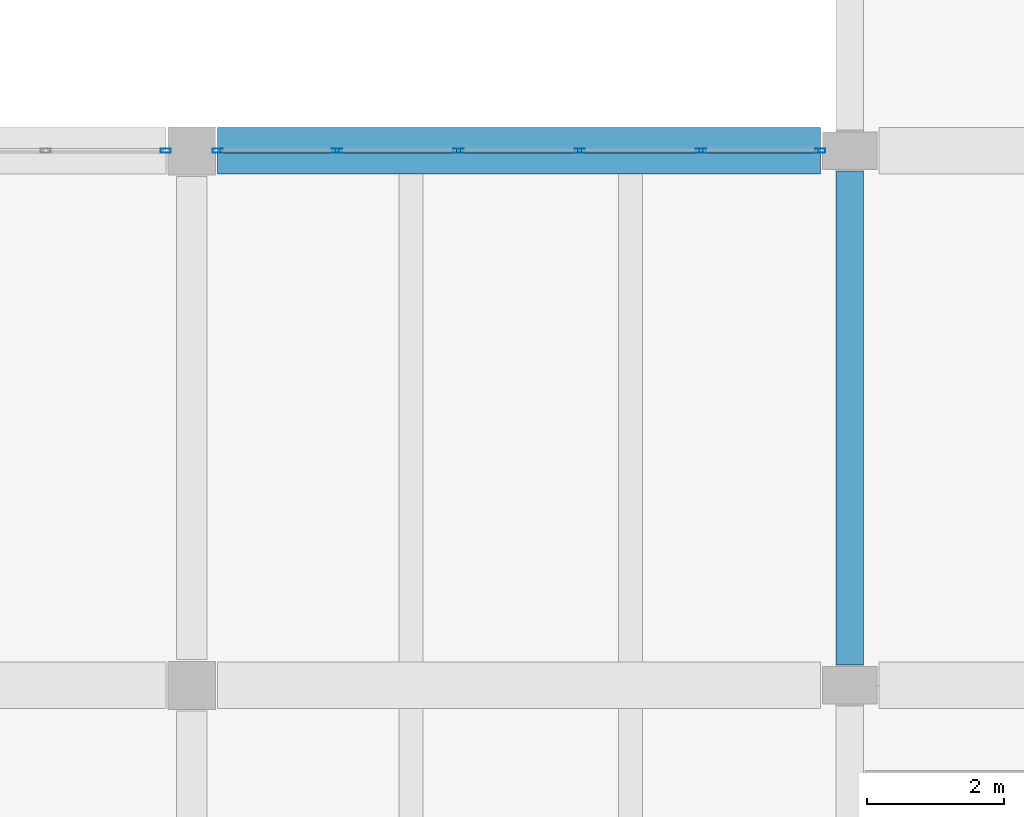
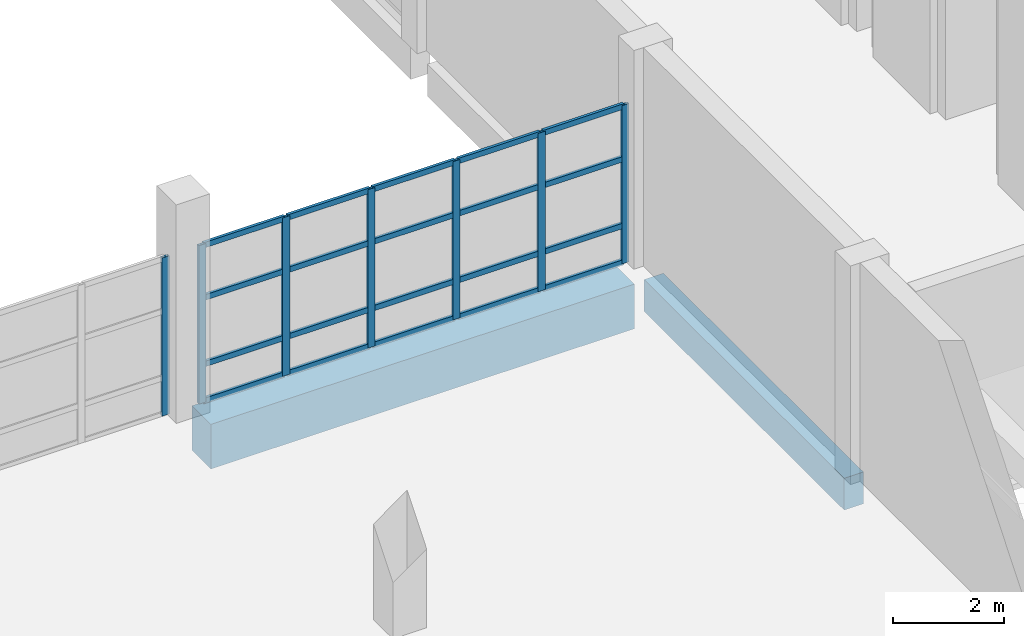
# One storey, part 52 of 91: 27 members, 2 beams, 2 elements without a shape of their own.
"""IFC4 building model written with IfcOpenShell, lengths in metres."""

from ifc_helpers import new_model, si_unit, direction, frame, origin, origin_2d, place, context, subcontext, project, spatial, rectangle, hollow_rectangle, extrude, material, material_profile, profile_set, type_object, element, aggregate, save


model = new_model("IFC4")

# Units and contexts
model_context = context("Model", 3, precision=1e-05, world=origin(), true_north=direction((0.0, 1.0)))
body_context = subcontext(model_context, "Body", "Model", "MODEL_VIEW")
ifc_project = project(units=[si_unit("LENGTHUNIT", "METRE"), si_unit("AREAUNIT", "SQUARE_METRE"), si_unit("VOLUMEUNIT", "CUBIC_METRE"), si_unit("PLANEANGLEUNIT", "RADIAN"), si_unit("MASSUNIT", "GRAM", prefix="KILO")], contexts=[model_context])

# Site, building, storey
site_placement = place(None, origin())
site = spatial("IfcSite", under=ifc_project, at=site_placement, CompositionType="ELEMENT")
building_placement = place(site_placement, origin())
building = spatial("IfcBuilding", under=site, at=building_placement, Name="Pellamere Symphony Hall", CompositionType="ELEMENT")
storey_placement = place(building_placement, frame((0.0, 0.0, 5.39990234375)))
storey = spatial("IfcBuildingStorey", under=building, at=storey_placement, Name="L01", CompositionType="ELEMENT", Elevation=5.39990234375)

# Curtain wall, member
ifc_material_1 = material(Name="Thermally Broken Anodised Aluminium 6063-T6 Curtain Wall", Category="aluminium")
curtain_wall_type = type_object("IfcCurtainWallType", Name="Curtain Wall CW-03 (Sculpture Court Glazed Link Curtain Wall)", PredefinedType="NOTDEFINED", material=ifc_material_1)
curtain_wall_1_placement = place(storey_placement, origin())
curtain_wall_1 = element("IfcCurtainWall", 1, at=curtain_wall_1_placement, inside=storey, type_object=curtain_wall_type, Name="Sculpture Court Link Curtain Wall (L01 Bay 1)", PredefinedType="NOTDEFINED")
ifc_material_2 = material(Name="Anodised Architectural Aluminium 6063-T6", Category="aluminium")
ifc_material_profile_1 = material_profile(ifc_material_2, hollow_rectangle(XDim=0.06005859375, YDim=0.14990234375, WallThickness=0.00390625, at=origin_2d()), Name="ALU-M60X150X4")
ifc_profile_set_1 = profile_set([ifc_material_profile_1], Name="Anodised Architectural Aluminium 6063-T6")
member_type_1 = type_object("IfcMemberType", Name="Curtain Wall Mullion ML-03 ALU-M60X150X4", PredefinedType="MULLION", material=ifc_profile_set_1)
member_1_placement = place(storey_placement, frame((128.02001953125, 54.0, 0.0), z_axis=(0.0, 0.0, 1.0), x_axis=(0.0, 1.0, 0.0)))
member_1 = element("IfcMember", 2, at=member_1_placement, type_object=member_type_1, Name="CW3-103 crystal mullion 6", PredefinedType="MULLION", context=body_context, shape_type="SweptSolid", body=[
    extrude(hollow_rectangle(XDim=0.06005859375, YDim=0.14990234375, WallThickness=0.00390625, at=origin_2d()), origin(), (0.0, 0.0, 1.0), 3.47998046875),
])
aggregate(curtain_wall_1, [member_1])

# Curtain wall, members
curtain_wall_2_placement = place(storey_placement, origin())
curtain_wall_2 = element("IfcCurtainWall", 3, at=curtain_wall_2_placement, inside=storey, type_object=curtain_wall_type, Name="Sculpture Court Link Curtain Wall (L01 Bay 2)", PredefinedType="NOTDEFINED")
member_2_placement = place(storey_placement, frame((128.780029296875, 54.0, 0.0), z_axis=(0.0, 0.0, 1.0), x_axis=(0.0, 1.0, 0.0)))
member_2 = element("IfcMember", 4, at=member_2_placement, type_object=member_type_1, Name="CW3-104 crystal mullion 1", PredefinedType="MULLION", context=body_context, shape_type="SweptSolid", body=[
    extrude(hollow_rectangle(XDim=0.06005859375, YDim=0.14990234375, WallThickness=0.00390625, at=origin_2d()), origin(), (0.0, 0.0, 1.0), 3.47998046875),
])
member_3_placement = place(storey_placement, frame((130.52001953125, 54.0, 0.0), z_axis=(0.0, 0.0, 1.0), x_axis=(0.0, 1.0, 0.0)))
member_3 = element("IfcMember", 5, at=member_3_placement, type_object=member_type_1, Name="CW3-104 crystal mullion 2", PredefinedType="MULLION", context=body_context, shape_type="SweptSolid", body=[
    extrude(hollow_rectangle(XDim=0.06005859375, YDim=0.14990234375, WallThickness=0.00390625, at=origin_2d()), origin(), (0.0, 0.0, 1.0), 3.47998046875),
])
member_4_placement = place(storey_placement, frame((132.2900390625, 54.0, 0.0), z_axis=(0.0, 0.0, 1.0), x_axis=(0.0, 1.0, 0.0)))
member_4 = element("IfcMember", 6, at=member_4_placement, type_object=member_type_1, Name="CW3-104 crystal mullion 3", PredefinedType="MULLION", context=body_context, shape_type="SweptSolid", body=[
    extrude(hollow_rectangle(XDim=0.06005859375, YDim=0.14990234375, WallThickness=0.00390625, at=origin_2d()), origin(), (0.0, 0.0, 1.0), 3.47998046875),
])
member_5_placement = place(storey_placement, frame((134.06005859375, 54.0, 0.0), z_axis=(0.0, 0.0, 1.0), x_axis=(0.0, 1.0, 0.0)))
member_5 = element("IfcMember", 7, at=member_5_placement, type_object=member_type_1, Name="CW3-104 crystal mullion 4", PredefinedType="MULLION", context=body_context, shape_type="SweptSolid", body=[
    extrude(hollow_rectangle(XDim=0.06005859375, YDim=0.14990234375, WallThickness=0.00390625, at=origin_2d()), origin(), (0.0, 0.0, 1.0), 3.47998046875),
])
member_6_placement = place(storey_placement, frame((135.830078125, 54.0, 0.0), z_axis=(0.0, 0.0, 1.0), x_axis=(0.0, 1.0, 0.0)))
member_6 = element("IfcMember", 8, at=member_6_placement, type_object=member_type_1, Name="CW3-104 crystal mullion 5", PredefinedType="MULLION", context=body_context, shape_type="SweptSolid", body=[
    extrude(hollow_rectangle(XDim=0.06005859375, YDim=0.14990234375, WallThickness=0.00390625, at=origin_2d()), origin(), (0.0, 0.0, 1.0), 3.47998046875),
])
member_7_placement = place(storey_placement, frame((137.570068359375, 54.0, 0.0), z_axis=(0.0, 0.0, 1.0), x_axis=(0.0, 1.0, 0.0)))
member_7 = element("IfcMember", 9, at=member_7_placement, type_object=member_type_1, Name="CW3-104 crystal mullion 6", PredefinedType="MULLION", context=body_context, shape_type="SweptSolid", body=[
    extrude(hollow_rectangle(XDim=0.06005859375, YDim=0.14990234375, WallThickness=0.00390625, at=origin_2d()), origin(), (0.0, 0.0, 1.0), 3.47998046875),
])
ifc_material_profile_2 = material_profile(ifc_material_2, hollow_rectangle(XDim=0.06005859375, YDim=0.1201171875, WallThickness=0.00390625, at=origin_2d()), Name="ALU-T60X120X4")
ifc_profile_set_2 = profile_set([ifc_material_profile_2], Name="Anodised Architectural Aluminium 6063-T6")
member_type_2 = type_object("IfcMemberType", Name="Curtain Wall Transom TR-03 ALU-T60X120X4", PredefinedType="USERDEFINED", material=ifc_profile_set_2)
member_8_placement = place(storey_placement, frame((128.81005859375, 54.0, 0.030029296875), z_axis=(1.0, 0.0, 0.0), x_axis=(0.0, 1.0, 0.0)))
member_8 = element("IfcMember", 10, at=member_8_placement, type_object=member_type_2, Name="CW3-104 crystal transom 1.1", ObjectType="TRANSOM", PredefinedType="USERDEFINED", context=body_context, shape_type="SweptSolid", body=[
    extrude(hollow_rectangle(XDim=0.06005859375, YDim=0.1201171875, WallThickness=0.00390625, at=origin_2d()), origin(), (0.0, 0.0, 1.0), 1.679931640625),
])
member_9_placement = place(storey_placement, frame((128.81005859375, 54.0, 0.835205078125), z_axis=(1.0, 0.0, 0.0), x_axis=(0.0, 1.0, 0.0)))
member_9 = element("IfcMember", 11, at=member_9_placement, type_object=member_type_2, Name="CW3-104 crystal transom 1.2", ObjectType="TRANSOM", PredefinedType="USERDEFINED", context=body_context, shape_type="SweptSolid", body=[
    extrude(hollow_rectangle(XDim=0.06005859375, YDim=0.1201171875, WallThickness=0.00390625, at=origin_2d()), origin(), (0.0, 0.0, 1.0), 1.679931640625),
])
member_10_placement = place(storey_placement, frame((128.81005859375, 54.0, 2.296875), z_axis=(1.0, 0.0, 0.0), x_axis=(0.0, 1.0, 0.0)))
member_10 = element("IfcMember", 12, at=member_10_placement, type_object=member_type_2, Name="CW3-104 crystal transom 1.3", ObjectType="TRANSOM", PredefinedType="USERDEFINED", context=body_context, shape_type="SweptSolid", body=[
    extrude(hollow_rectangle(XDim=0.06005859375, YDim=0.1201171875, WallThickness=0.00390625, at=origin_2d()), origin(), (0.0, 0.0, 1.0), 1.679931640625),
])
member_11_placement = place(storey_placement, frame((128.81005859375, 54.0, 3.4501953125), z_axis=(1.0, 0.0, 0.0), x_axis=(0.0, 1.0, 0.0)))
member_11 = element("IfcMember", 13, at=member_11_placement, type_object=member_type_2, Name="CW3-104 crystal transom 1.4", ObjectType="TRANSOM", PredefinedType="USERDEFINED", context=body_context, shape_type="SweptSolid", body=[
    extrude(hollow_rectangle(XDim=0.06005859375, YDim=0.1201171875, WallThickness=0.00390625, at=origin_2d()), origin(), (0.0, 0.0, 1.0), 1.679931640625),
])
member_12_placement = place(storey_placement, frame((130.550048828125, 54.0, 0.030029296875), z_axis=(1.0, 0.0, 0.0), x_axis=(0.0, 1.0, 0.0)))
member_12 = element("IfcMember", 14, at=member_12_placement, type_object=member_type_2, Name="CW3-104 crystal transom 2.1", ObjectType="TRANSOM", PredefinedType="USERDEFINED", context=body_context, shape_type="SweptSolid", body=[
    extrude(hollow_rectangle(XDim=0.06005859375, YDim=0.1201171875, WallThickness=0.00390625, at=origin_2d()), origin(), (0.0, 0.0, 1.0), 1.7099609375),
])
member_13_placement = place(storey_placement, frame((130.550048828125, 54.0, 0.835205078125), z_axis=(1.0, 0.0, 0.0), x_axis=(0.0, 1.0, 0.0)))
member_13 = element("IfcMember", 15, at=member_13_placement, type_object=member_type_2, Name="CW3-104 crystal transom 2.2", ObjectType="TRANSOM", PredefinedType="USERDEFINED", context=body_context, shape_type="SweptSolid", body=[
    extrude(hollow_rectangle(XDim=0.06005859375, YDim=0.1201171875, WallThickness=0.00390625, at=origin_2d()), origin(), (0.0, 0.0, 1.0), 1.7099609375),
])
member_14_placement = place(storey_placement, frame((130.550048828125, 54.0, 2.296875), z_axis=(1.0, 0.0, 0.0), x_axis=(0.0, 1.0, 0.0)))
member_14 = element("IfcMember", 16, at=member_14_placement, type_object=member_type_2, Name="CW3-104 crystal transom 2.3", ObjectType="TRANSOM", PredefinedType="USERDEFINED", context=body_context, shape_type="SweptSolid", body=[
    extrude(hollow_rectangle(XDim=0.06005859375, YDim=0.1201171875, WallThickness=0.00390625, at=origin_2d()), origin(), (0.0, 0.0, 1.0), 1.7099609375),
])
member_15_placement = place(storey_placement, frame((130.550048828125, 54.0, 3.4501953125), z_axis=(1.0, 0.0, 0.0), x_axis=(0.0, 1.0, 0.0)))
member_15 = element("IfcMember", 17, at=member_15_placement, type_object=member_type_2, Name="CW3-104 crystal transom 2.4", ObjectType="TRANSOM", PredefinedType="USERDEFINED", context=body_context, shape_type="SweptSolid", body=[
    extrude(hollow_rectangle(XDim=0.06005859375, YDim=0.1201171875, WallThickness=0.00390625, at=origin_2d()), origin(), (0.0, 0.0, 1.0), 1.7099609375),
])
member_16_placement = place(storey_placement, frame((132.320068359375, 54.0, 0.030029296875), z_axis=(1.0, 0.0, 0.0), x_axis=(0.0, 1.0, 0.0)))
member_16 = element("IfcMember", 18, at=member_16_placement, type_object=member_type_2, Name="CW3-104 crystal transom 3.1", ObjectType="TRANSOM", PredefinedType="USERDEFINED", context=body_context, shape_type="SweptSolid", body=[
    extrude(hollow_rectangle(XDim=0.06005859375, YDim=0.1201171875, WallThickness=0.00390625, at=origin_2d()), origin(), (0.0, 0.0, 1.0), 1.7099609375),
])
member_17_placement = place(storey_placement, frame((132.320068359375, 54.0, 0.835205078125), z_axis=(1.0, 0.0, 0.0), x_axis=(0.0, 1.0, 0.0)))
member_17 = element("IfcMember", 19, at=member_17_placement, type_object=member_type_2, Name="CW3-104 crystal transom 3.2", ObjectType="TRANSOM", PredefinedType="USERDEFINED", context=body_context, shape_type="SweptSolid", body=[
    extrude(hollow_rectangle(XDim=0.06005859375, YDim=0.1201171875, WallThickness=0.00390625, at=origin_2d()), origin(), (0.0, 0.0, 1.0), 1.7099609375),
])
member_18_placement = place(storey_placement, frame((132.320068359375, 54.0, 2.296875), z_axis=(1.0, 0.0, 0.0), x_axis=(0.0, 1.0, 0.0)))
member_18 = element("IfcMember", 20, at=member_18_placement, type_object=member_type_2, Name="CW3-104 crystal transom 3.3", ObjectType="TRANSOM", PredefinedType="USERDEFINED", context=body_context, shape_type="SweptSolid", body=[
    extrude(hollow_rectangle(XDim=0.06005859375, YDim=0.1201171875, WallThickness=0.00390625, at=origin_2d()), origin(), (0.0, 0.0, 1.0), 1.7099609375),
])
member_19_placement = place(storey_placement, frame((132.320068359375, 54.0, 3.4501953125), z_axis=(1.0, 0.0, 0.0), x_axis=(0.0, 1.0, 0.0)))
member_19 = element("IfcMember", 21, at=member_19_placement, type_object=member_type_2, Name="CW3-104 crystal transom 3.4", ObjectType="TRANSOM", PredefinedType="USERDEFINED", context=body_context, shape_type="SweptSolid", body=[
    extrude(hollow_rectangle(XDim=0.06005859375, YDim=0.1201171875, WallThickness=0.00390625, at=origin_2d()), origin(), (0.0, 0.0, 1.0), 1.7099609375),
])
member_20_placement = place(storey_placement, frame((134.090087890625, 54.0, 0.030029296875), z_axis=(1.0, 0.0, 0.0), x_axis=(0.0, 1.0, 0.0)))
member_20 = element("IfcMember", 22, at=member_20_placement, type_object=member_type_2, Name="CW3-104 crystal transom 4.1", ObjectType="TRANSOM", PredefinedType="USERDEFINED", context=body_context, shape_type="SweptSolid", body=[
    extrude(hollow_rectangle(XDim=0.06005859375, YDim=0.1201171875, WallThickness=0.00390625, at=origin_2d()), origin(), (0.0, 0.0, 1.0), 1.7099609375),
])
member_21_placement = place(storey_placement, frame((134.090087890625, 54.0, 0.835205078125), z_axis=(1.0, 0.0, 0.0), x_axis=(0.0, 1.0, 0.0)))
member_21 = element("IfcMember", 23, at=member_21_placement, type_object=member_type_2, Name="CW3-104 crystal transom 4.2", ObjectType="TRANSOM", PredefinedType="USERDEFINED", context=body_context, shape_type="SweptSolid", body=[
    extrude(hollow_rectangle(XDim=0.06005859375, YDim=0.1201171875, WallThickness=0.00390625, at=origin_2d()), origin(), (0.0, 0.0, 1.0), 1.7099609375),
])
member_22_placement = place(storey_placement, frame((134.090087890625, 54.0, 2.296875), z_axis=(1.0, 0.0, 0.0), x_axis=(0.0, 1.0, 0.0)))
member_22 = element("IfcMember", 24, at=member_22_placement, type_object=member_type_2, Name="CW3-104 crystal transom 4.3", ObjectType="TRANSOM", PredefinedType="USERDEFINED", context=body_context, shape_type="SweptSolid", body=[
    extrude(hollow_rectangle(XDim=0.06005859375, YDim=0.1201171875, WallThickness=0.00390625, at=origin_2d()), origin(), (0.0, 0.0, 1.0), 1.7099609375),
])
member_23_placement = place(storey_placement, frame((134.090087890625, 54.0, 3.4501953125), z_axis=(1.0, 0.0, 0.0), x_axis=(0.0, 1.0, 0.0)))
member_23 = element("IfcMember", 25, at=member_23_placement, type_object=member_type_2, Name="CW3-104 crystal transom 4.4", ObjectType="TRANSOM", PredefinedType="USERDEFINED", context=body_context, shape_type="SweptSolid", body=[
    extrude(hollow_rectangle(XDim=0.06005859375, YDim=0.1201171875, WallThickness=0.00390625, at=origin_2d()), origin(), (0.0, 0.0, 1.0), 1.7099609375),
])
member_24_placement = place(storey_placement, frame((135.860107421875, 54.0, 0.030029296875), z_axis=(1.0, 0.0, 0.0), x_axis=(0.0, 1.0, 0.0)))
member_24 = element("IfcMember", 26, at=member_24_placement, type_object=member_type_2, Name="CW3-104 crystal transom 5.1", ObjectType="TRANSOM", PredefinedType="USERDEFINED", context=body_context, shape_type="SweptSolid", body=[
    extrude(hollow_rectangle(XDim=0.06005859375, YDim=0.1201171875, WallThickness=0.00390625, at=origin_2d()), origin(), (0.0, 0.0, 1.0), 1.679931640625),
])
member_25_placement = place(storey_placement, frame((135.860107421875, 54.0, 0.835205078125), z_axis=(1.0, 0.0, 0.0), x_axis=(0.0, 1.0, 0.0)))
member_25 = element("IfcMember", 27, at=member_25_placement, type_object=member_type_2, Name="CW3-104 crystal transom 5.2", ObjectType="TRANSOM", PredefinedType="USERDEFINED", context=body_context, shape_type="SweptSolid", body=[
    extrude(hollow_rectangle(XDim=0.06005859375, YDim=0.1201171875, WallThickness=0.00390625, at=origin_2d()), origin(), (0.0, 0.0, 1.0), 1.679931640625),
])
member_26_placement = place(storey_placement, frame((135.860107421875, 54.0, 2.296875), z_axis=(1.0, 0.0, 0.0), x_axis=(0.0, 1.0, 0.0)))
member_26 = element("IfcMember", 28, at=member_26_placement, type_object=member_type_2, Name="CW3-104 crystal transom 5.3", ObjectType="TRANSOM", PredefinedType="USERDEFINED", context=body_context, shape_type="SweptSolid", body=[
    extrude(hollow_rectangle(XDim=0.06005859375, YDim=0.1201171875, WallThickness=0.00390625, at=origin_2d()), origin(), (0.0, 0.0, 1.0), 1.679931640625),
])
member_27_placement = place(storey_placement, frame((135.860107421875, 54.0, 3.4501953125), z_axis=(1.0, 0.0, 0.0), x_axis=(0.0, 1.0, 0.0)))
member_27 = element("IfcMember", 29, at=member_27_placement, type_object=member_type_2, Name="CW3-104 crystal transom 5.4", ObjectType="TRANSOM", PredefinedType="USERDEFINED", context=body_context, shape_type="SweptSolid", body=[
    extrude(hollow_rectangle(XDim=0.06005859375, YDim=0.1201171875, WallThickness=0.00390625, at=origin_2d()), origin(), (0.0, 0.0, 1.0), 1.679931640625),
])
aggregate(curtain_wall_2, [member_2, member_3, member_4, member_5, member_6, member_7, member_8, member_9, member_10, member_11, member_12, member_13, member_14, member_15, member_16, member_17, member_18, member_19, member_20, member_21, member_22, member_23, member_24, member_25, member_26, member_27])

# Beams
ifc_material_3 = material(Name="Concrete 40 MPa", Category="concrete")
ifc_material_profile_3 = material_profile(ifc_material_3, rectangle(XDim=0.39990234375, YDim=0.699951171875, at=origin_2d()), Name="RC 400x700")
ifc_profile_set_3 = profile_set([ifc_material_profile_3], Name="Concrete 40 MPa")
beam_type_1 = type_object("IfcBeamType", Name="RC CB-13 400x700", PredefinedType="SPANDREL", material=ifc_profile_set_3)
beam_1_placement = place(storey_placement, frame((138.0, 46.5, -0.6298828125), z_axis=(0.0, 1.0, 0.0), x_axis=(-1.0, 0.0, 0.0)))
element("IfcBeam", 30, at=beam_1_placement, inside=storey, type_object=beam_type_1, Name="Girder CB-13-Y0844 (L01)", PredefinedType="SPANDREL", context=body_context, shape_type="SweptSolid", body=[
    extrude(rectangle(XDim=0.39990234375, YDim=0.699951171875, at=origin_2d()), origin(), (0.0, 0.0, 1.0), 7.199951171875),
])
ifc_material_profile_4 = material_profile(ifc_material_3, rectangle(XDim=0.679931640625, YDim=0.97998046875, at=origin_2d()), Name="RC 680x980")
ifc_profile_set_4 = profile_set([ifc_material_profile_4], Name="Concrete 40 MPa")
beam_type_2 = type_object("IfcBeamType", Name="RC CB-22 680x980", PredefinedType="BEAM", material=ifc_profile_set_4)
beam_2_placement = place(storey_placement, frame((128.77490234375, 54.0, -0.77001953125), z_axis=(1.0, 0.0, 0.0), x_axis=(0.0, 1.0, 0.0)))
element("IfcBeam", 31, at=beam_2_placement, inside=storey, type_object=beam_type_2, Name="Girder CB-22-X0643 (L01)", PredefinedType="BEAM", context=body_context, shape_type="SweptSolid", body=[
    extrude(rectangle(XDim=0.679931640625, YDim=0.97998046875, at=origin_2d()), origin(), (0.0, 0.0, 1.0), 8.800048828125),
])

save(model, "model.ifc")
